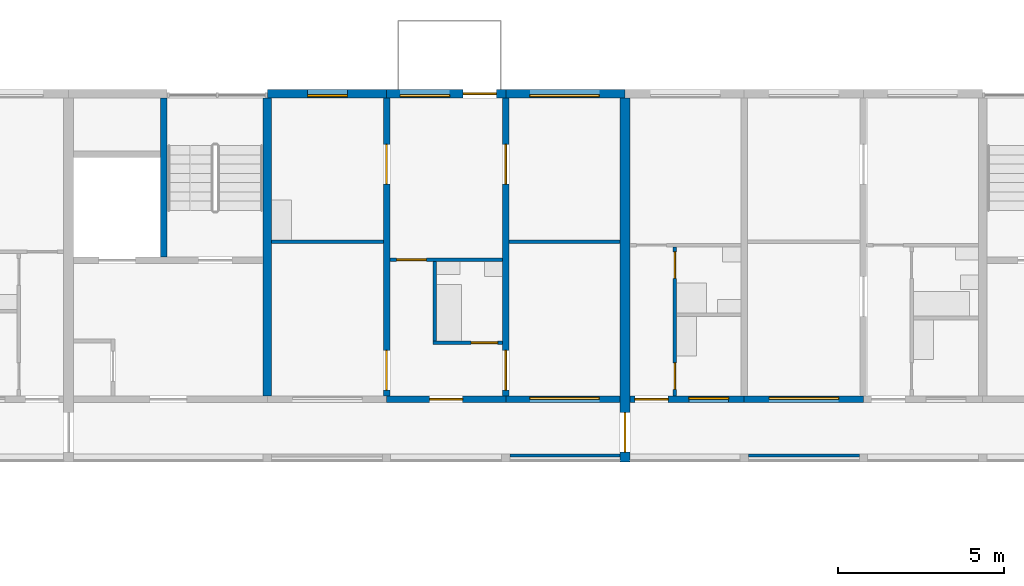
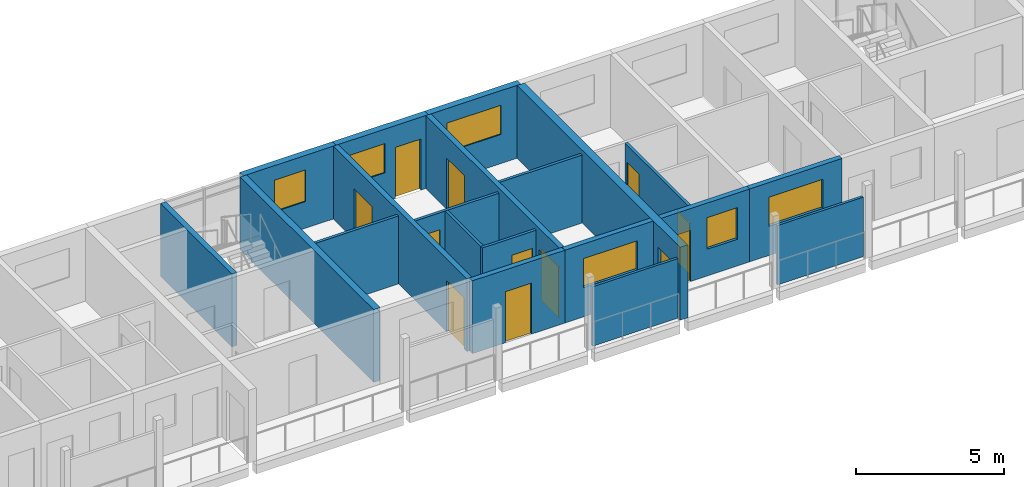
# One storey, part 51 of 115: 20 walls, 12 doors, 6 windows, 18 openings.
"""IFC4 building model written with IfcOpenShell, lengths in metres."""

from ifc_helpers import new_model, si_unit, direction, frame, frame_2d, origin, place, context, subcontext, project, spatial, rectangle, extrude, material, layer, layer_set, type_object, element, fill, save


model = new_model("IFC4")

# Units and contexts
model_context = context("Model", 3, precision=1e-05, world=origin(), true_north=direction((0.0, 1.0)))
body_context = subcontext(model_context, "Body", "Model", "MODEL_VIEW")
ifc_project = project(units=[si_unit("LENGTHUNIT", "METRE"), si_unit("AREAUNIT", "SQUARE_METRE"), si_unit("VOLUMEUNIT", "CUBIC_METRE"), si_unit("PLANEANGLEUNIT", "RADIAN"), si_unit("MASSUNIT", "GRAM", prefix="KILO")], contexts=[model_context])

# Site, building, storey
site_placement = place(None, origin())
site = spatial("IfcSite", under=ifc_project, at=site_placement, CompositionType="ELEMENT")
building_placement = place(site_placement, origin())
building = spatial("IfcBuilding", under=site, at=building_placement, Name="Ridgestep Commons", CompositionType="ELEMENT")
storey_placement = place(building_placement, frame((0.0, 0.0, 6.0)))
storey = spatial("IfcBuildingStorey", under=building, at=storey_placement, Name="L02", CompositionType="ELEMENT", Elevation=6.0)

# Walls
ifc_material_1 = material(Name="Concrete C30/37", Category="concrete")
ifc_layer_1 = layer(ifc_material_1, 0.25)
ifc_layer_set_1 = layer_set([ifc_layer_1], Name="Core cross wall 250")
wall_type_1 = type_object("IfcWallType", Name="Core cross wall 250", PredefinedType="SHEAR", material=ifc_layer_set_1)
wall_1_placement = place(storey_placement, frame((51.60009765625, 68.0, 0.0), z_axis=(0.0, 0.0, 1.0), x_axis=(0.0, 1.0, 0.0)))
element("IfcWall", 1, at=wall_1_placement, inside=storey, type_object=wall_type_1, Name="Cross wall B-02-0516", PredefinedType="SHEAR", context=body_context, shape_type="SweptSolid", body=[
    extrude(rectangle(XDim=9.0, YDim=0.25, at=frame_2d((4.5, 0.0))), origin(), (0.0, 0.0, 1.0), 3.0),
])
ifc_material_2 = material(Name="Concrete C30/37", Category="concrete")
ifc_layer_2 = layer(ifc_material_2, 0.199951171875)
ifc_layer_set_2 = layer_set([ifc_layer_2], Name="Core wall 200")
wall_type_2 = type_object("IfcWallType", Name="Core wall 200", PredefinedType="SHEAR", material=ifc_layer_set_2)
wall_2_placement = place(storey_placement, frame((48.47509765625, 72.199951171875, 0.0), z_axis=(0.0, 0.0, 1.0), x_axis=(0.0, 1.0, 0.0)))
element("IfcWall", 2, at=wall_2_placement, inside=storey, type_object=wall_type_2, Name="Core stair wall B3C L02", PredefinedType="SHEAR", context=body_context, shape_type="SweptSolid", body=[
    extrude(rectangle(XDim=4.800048828125, YDim=0.199951171875, at=frame_2d((2.39990234375, 0.0))), origin(), (0.0, 0.0, 1.0), 3.0),
])

# Wall, openings, doors
ifc_material_3 = material(Name="Precast concrete C40/50", Category="concrete")
ifc_layer_3 = layer(ifc_material_3, 0.199951171875)
ifc_layer_set_3 = layer_set([ifc_layer_3], Name="Cross wall 200")
wall_type_3 = type_object("IfcWallType", Name="Cross wall 200", PredefinedType="SHEAR", material=ifc_layer_set_3)
wall_3_placement = place(storey_placement, frame((55.199951171875, 68.0, 0.0), z_axis=(0.0, 0.0, 1.0), x_axis=(0.0, 1.0, 0.0)))
wall_3 = element("IfcWall", 3, at=wall_3_placement, inside=storey, type_object=wall_type_3, Name="Cross wall B-02-0552", PredefinedType="SHEAR", context=body_context, shape_type="SweptSolid", body=[
    extrude(rectangle(XDim=9.0, YDim=0.199951171875, at=frame_2d((4.5, 0.0))), origin(), (0.0, 0.0, 1.0), 3.0),
])
opening_1_placement = place(wall_3_placement, frame((0.175048828125, 0.0, 0.0)))
opening_1 = element("IfcOpeningElement", 4, at=opening_1_placement, cuts=wall_3, Name="Opening B3-02a/4", PredefinedType="OPENING", context=body_context, shape_type="SweptSolid", body=[
    extrude(rectangle(XDim=1.199951171875, YDim=2.10009765625, at=frame_2d((0.60009765625, 1.050048828125))), frame((0.0, 0.10986328125, 0.0), z_axis=(0.0, -1.0, 0.0), x_axis=(1.0, 0.0, 0.0)), (0.0, 0.0, 1.0), 0.219970703125),
])
opening_2_placement = place(wall_3_placement, frame((6.39990234375, 0.0, 0.0)))
opening_2 = element("IfcOpeningElement", 5, at=opening_2_placement, cuts=wall_3, Name="Opening B3-02a/5", PredefinedType="OPENING", context=body_context, shape_type="SweptSolid", body=[
    extrude(rectangle(XDim=1.199951171875, YDim=2.10009765625, at=frame_2d((0.60009765625, 1.050048828125))), frame((0.0, 0.10986328125, 0.0), z_axis=(0.0, -1.0, 0.0), x_axis=(1.0, 0.0, 0.0)), (0.0, 0.0, 1.0), 0.219970703125),
])
ifc_material_4 = material(Name="Timber door leaf", Category="wood")
door_type_1 = type_object("IfcDoorType", Name="Double door 1200 x 2100", OperationType="DOUBLE_DOOR_SINGLE_SWING", PredefinedType="DOOR", material=ifc_material_4)
door_1_placement = place(opening_1_placement, origin())
door_1 = element("IfcDoor", 6, at=door_1_placement, inside=storey, type_object=door_type_1, Name="Double door B3-02a/4", OperationType="DOUBLE_DOOR_SINGLE_SWING", OverallHeight=2.10009765625, OverallWidth=1.199951171875, PredefinedType="DOOR", context=body_context, shape_type="SweptSolid", body=[
    extrude(rectangle(XDim=1.199951171875, YDim=2.10009765625, at=frame_2d((0.60009765625, 1.050048828125))), frame((0.0, 0.02490234375, 0.0), z_axis=(0.0, -1.0, 0.0), x_axis=(1.0, 0.0, 0.0)), (0.0, 0.0, 1.0), 0.050048828125),
])
fill(opening_1, door_1)
door_2_placement = place(opening_2_placement, origin())
door_2 = element("IfcDoor", 7, at=door_2_placement, inside=storey, type_object=door_type_1, Name="Double door B3-02a/5", OperationType="DOUBLE_DOOR_SINGLE_SWING", OverallHeight=2.10009765625, OverallWidth=1.199951171875, PredefinedType="DOOR", context=body_context, shape_type="SweptSolid", body=[
    extrude(rectangle(XDim=1.199951171875, YDim=2.10009765625, at=frame_2d((0.60009765625, 1.050048828125))), frame((0.0, 0.02490234375, 0.0), z_axis=(0.0, -1.0, 0.0), x_axis=(1.0, 0.0, 0.0)), (0.0, 0.0, 1.0), 0.050048828125),
])
fill(opening_2, door_2)

wall_4_placement = place(storey_placement, frame((58.800048828125, 68.0, 0.0), z_axis=(0.0, 0.0, 1.0), x_axis=(0.0, 1.0, 0.0)))
wall_4 = element("IfcWall", 8, at=wall_4_placement, inside=storey, type_object=wall_type_3, Name="Cross wall B-02-0588", PredefinedType="SHEAR", context=body_context, shape_type="SweptSolid", body=[
    extrude(rectangle(XDim=9.0, YDim=0.199951171875, at=frame_2d((4.5, 0.0))), origin(), (0.0, 0.0, 1.0), 3.0),
])
opening_3_placement = place(wall_4_placement, frame((0.175048828125, 0.0, 0.0)))
opening_3 = element("IfcOpeningElement", 9, at=opening_3_placement, cuts=wall_4, Name="Opening B3-02a/6", PredefinedType="OPENING", context=body_context, shape_type="SweptSolid", body=[
    extrude(rectangle(XDim=1.199951171875, YDim=2.10009765625, at=frame_2d((0.60009765625, 1.050048828125))), frame((0.0, 0.10986328125, 0.0), z_axis=(0.0, -1.0, 0.0), x_axis=(1.0, 0.0, 0.0)), (0.0, 0.0, 1.0), 0.219970703125),
])
opening_4_placement = place(wall_4_placement, frame((6.39990234375, 0.0, 0.0)))
opening_4 = element("IfcOpeningElement", 10, at=opening_4_placement, cuts=wall_4, Name="Opening B3-02a/7", PredefinedType="OPENING", context=body_context, shape_type="SweptSolid", body=[
    extrude(rectangle(XDim=1.199951171875, YDim=2.10009765625, at=frame_2d((0.60009765625, 1.050048828125))), frame((0.0, 0.10986328125, 0.0), z_axis=(0.0, -1.0, 0.0), x_axis=(1.0, 0.0, 0.0)), (0.0, 0.0, 1.0), 0.219970703125),
])
door_3_placement = place(opening_3_placement, origin())
door_3 = element("IfcDoor", 11, at=door_3_placement, inside=storey, type_object=door_type_1, Name="Double door B3-02a/6", OperationType="DOUBLE_DOOR_SINGLE_SWING", OverallHeight=2.10009765625, OverallWidth=1.199951171875, PredefinedType="DOOR", context=body_context, shape_type="SweptSolid", body=[
    extrude(rectangle(XDim=1.199951171875, YDim=2.10009765625, at=frame_2d((0.60009765625, 1.050048828125))), frame((0.0, 0.02490234375, 0.0), z_axis=(0.0, -1.0, 0.0), x_axis=(1.0, 0.0, 0.0)), (0.0, 0.0, 1.0), 0.050048828125),
])
fill(opening_3, door_3)
door_4_placement = place(opening_4_placement, origin())
door_4 = element("IfcDoor", 12, at=door_4_placement, inside=storey, type_object=door_type_1, Name="Double door B3-02a/7", OperationType="DOUBLE_DOOR_SINGLE_SWING", OverallHeight=2.10009765625, OverallWidth=1.199951171875, PredefinedType="DOOR", context=body_context, shape_type="SweptSolid", body=[
    extrude(rectangle(XDim=1.199951171875, YDim=2.10009765625, at=frame_2d((0.60009765625, 1.050048828125))), frame((0.0, 0.02490234375, 0.0), z_axis=(0.0, -1.0, 0.0), x_axis=(1.0, 0.0, 0.0)), (0.0, 0.0, 1.0), 0.050048828125),
])
fill(opening_4, door_4)

# Wall, opening, door
ifc_material_5 = material(Name="Precast concrete C40/50", Category="concrete")
ifc_layer_4 = layer(ifc_material_5, 0.300048828125)
ifc_layer_set_4 = layer_set([ifc_layer_4], Name="Division wall 300")
wall_type_4 = type_object("IfcWallType", Name="Division wall 300", PredefinedType="SHEAR", material=ifc_layer_set_4)
wall_5_placement = place(storey_placement, frame((62.39990234375, 66.0, 0.0), z_axis=(0.0, 0.0, 1.0), x_axis=(0.0, 1.0, 0.0)))
wall_5 = element("IfcWall", 13, at=wall_5_placement, inside=storey, type_object=wall_type_4, Name="Cross wall B-02-0624", PredefinedType="SHEAR", context=body_context, shape_type="SweptSolid", body=[
    extrude(rectangle(XDim=11.0, YDim=0.300048828125, at=frame_2d((5.5, 0.0))), origin(), (0.0, 0.0, 1.0), 3.0),
])
opening_5_placement = place(wall_5_placement, frame((0.300048828125, 0.0, 0.0)))
opening_5 = element("IfcOpeningElement", 14, at=opening_5_placement, cuts=wall_5, Name="Opening B/02/G0624", PredefinedType="OPENING", context=body_context, shape_type="SweptSolid", body=[
    extrude(rectangle(XDim=1.199951171875, YDim=2.10009765625, at=frame_2d((0.60009765625, 1.050048828125))), frame((0.0, 0.159912109375, 0.0), z_axis=(0.0, -1.0, 0.0), x_axis=(1.0, 0.0, 0.0)), (0.0, 0.0, 1.0), 0.320068359375),
])
ifc_material_6 = material(Name="Steel fire door", Category="steel")
door_type_2 = type_object("IfcDoorType", Name="Division fire door 1200 x 2100 EI 240", OperationType="DOUBLE_DOOR_SINGLE_SWING", PredefinedType="DOOR", material=ifc_material_6)
door_5_placement = place(opening_5_placement, origin())
door_5 = element("IfcDoor", 15, at=door_5_placement, inside=storey, type_object=door_type_2, Name="Division fire door B/02/G0624", OperationType="DOUBLE_DOOR_SINGLE_SWING", OverallHeight=2.10009765625, OverallWidth=1.199951171875, PredefinedType="DOOR", context=body_context, shape_type="SweptSolid", body=[
    extrude(rectangle(XDim=1.199951171875, YDim=2.10009765625, at=frame_2d((0.60009765625, 1.050048828125))), frame((0.0, 0.02490234375, 0.0), z_axis=(0.0, -1.0, 0.0), x_axis=(1.0, 0.0, 0.0)), (0.0, 0.0, 1.0), 0.050048828125),
])
fill(opening_5, door_5)

# Wall, opening, window
ifc_material_7 = material(Name="Precast concrete C40/50", Category="concrete")
ifc_layer_5 = layer(ifc_material_7, 0.25)
ifc_layer_set_5 = layer_set([ifc_layer_5], Name="North facade panel 250")
wall_type_5 = type_object("IfcWallType", Name="North facade panel 250", PredefinedType="SOLIDWALL", material=ifc_layer_set_5)
wall_6_placement = place(storey_placement, frame((51.60009765625, 77.125, 0.0), z_axis=(0.0, 0.0, 1.0), x_axis=(1.0, 0.0, 0.0)))
wall_6 = element("IfcWall", 16, at=wall_6_placement, inside=storey, type_object=wall_type_5, Name="North panel B3T3 L02", PredefinedType="SOLIDWALL", context=body_context, shape_type="SweptSolid", body=[
    extrude(rectangle(XDim=3.599853515625, YDim=0.25, at=frame_2d((1.7998046875, 0.0))), origin(), (0.0, 0.0, 1.0), 3.0),
])
opening_6_placement = place(wall_6_placement, frame((1.21240234375, 0.0, 1.10009765625)))
opening_6 = element("IfcOpeningElement", 17, at=opening_6_placement, cuts=wall_6, Name="Opening W08", PredefinedType="OPENING", context=body_context, shape_type="SweptSolid", body=[
    extrude(rectangle(XDim=1.199951171875, YDim=1.300048828125, at=frame_2d((0.60009765625, 0.64990234375))), frame((0.0, 0.135009765625, 0.0), z_axis=(0.0, -1.0, 0.0), x_axis=(1.0, 0.0, 0.0)), (0.0, 0.0, 1.0), 0.27001953125),
])
ifc_material_8 = material(Name="Aluminium 6063-T6 and glass", Category="aluminium")
window_type_1 = type_object("IfcWindowType", Name="Flat window 1200 x 1300", PartitioningType="SINGLE_PANEL", PredefinedType="WINDOW", material=ifc_material_8)
window_1_placement = place(opening_6_placement, origin())
window_1 = element("IfcWindow", 18, at=window_1_placement, inside=storey, type_object=window_type_1, Name="Window B3-02a 2", OverallHeight=1.300048828125, OverallWidth=1.199951171875, PartitioningType="SINGLE_PANEL", PredefinedType="WINDOW", context=body_context, shape_type="SweptSolid", body=[
    extrude(rectangle(XDim=1.199951171875, YDim=1.300048828125, at=frame_2d((0.60009765625, 0.64990234375))), frame((0.0, -0.02490234375, 0.0), z_axis=(0.0, -1.0, 0.0), x_axis=(1.0, 0.0, 0.0)), (0.0, 0.0, 1.0), 0.06005859375),
])
fill(opening_6, window_1)

# Wall, openings, door, window
wall_7_placement = place(storey_placement, frame((55.199951171875, 77.125, 0.0), z_axis=(0.0, 0.0, 1.0), x_axis=(1.0, 0.0, 0.0)))
wall_7 = element("IfcWall", 19, at=wall_7_placement, inside=storey, type_object=wall_type_5, Name="North panel B3T2 L02", PredefinedType="SOLIDWALL", context=body_context, shape_type="SweptSolid", body=[
    extrude(rectangle(XDim=3.60009765625, YDim=0.25, at=frame_2d((1.800048828125, 0.0))), origin(), (0.0, 0.0, 1.0), 3.0),
])
opening_7_placement = place(wall_7_placement, frame((0.406494140625, 0.0, 1.199951171875)))
opening_7 = element("IfcOpeningElement", 20, at=opening_7_placement, cuts=wall_7, Name="Opening W13", PredefinedType="OPENING", context=body_context, shape_type="SweptSolid", body=[
    extrude(rectangle(XDim=1.5, YDim=1.199951171875, at=frame_2d((0.75, 0.60009765625))), frame((0.0, 0.135009765625, 0.0), z_axis=(0.0, -1.0, 0.0), x_axis=(1.0, 0.0, 0.0)), (0.0, 0.0, 1.0), 0.27001953125),
])
opening_8_placement = place(wall_7_placement, frame((2.31298828125, 0.0, 0.0)))
opening_8 = element("IfcOpeningElement", 21, at=opening_8_placement, cuts=wall_7, Name="Opening B3-02a/8", PredefinedType="OPENING", context=body_context, shape_type="SweptSolid", body=[
    extrude(rectangle(XDim=1.0, YDim=2.10009765625, at=frame_2d((0.5, 1.050048828125))), frame((0.0, 0.135009765625, 0.0), z_axis=(0.0, -1.0, 0.0), x_axis=(1.0, 0.0, 0.0)), (0.0, 0.0, 1.0), 0.27001953125),
])
ifc_material_9 = material(Name="Aluminium and glass", Category="aluminium")
door_type_3 = type_object("IfcDoorType", Name="Balcony door 1000 x 2100", OperationType="NOTDEFINED", PredefinedType="DOOR", material=ifc_material_9)
door_6_placement = place(opening_8_placement, origin())
door_6 = element("IfcDoor", 22, at=door_6_placement, inside=storey, type_object=door_type_3, Name="Balcony door B3-02a/8", OperationType="SINGLE_SWING_LEFT", OverallHeight=2.10009765625, OverallWidth=1.0, PredefinedType="DOOR", context=body_context, shape_type="SweptSolid", body=[
    extrude(rectangle(XDim=1.0, YDim=2.10009765625, at=frame_2d((0.5, 1.050048828125))), frame((0.0, 0.02490234375, 0.0), z_axis=(0.0, -1.0, 0.0), x_axis=(1.0, 0.0, 0.0)), (0.0, 0.0, 1.0), 0.050048828125),
])
fill(opening_8, door_6)
ifc_material_10 = material(Name="Aluminium 6063-T6 and glass", Category="aluminium")
window_type_2 = type_object("IfcWindowType", Name="Flat window 1500 x 1200", PartitioningType="DOUBLE_PANEL_VERTICAL", PredefinedType="WINDOW", material=ifc_material_10)
window_2_placement = place(opening_7_placement, origin())
window_2 = element("IfcWindow", 23, at=window_2_placement, inside=storey, type_object=window_type_2, Name="Window B3-02a 5", OverallHeight=1.199951171875, OverallWidth=1.5, PartitioningType="SINGLE_PANEL", PredefinedType="WINDOW", context=body_context, shape_type="SweptSolid", body=[
    extrude(rectangle(XDim=1.5, YDim=1.199951171875, at=frame_2d((0.75, 0.60009765625))), frame((0.0, -0.02490234375, 0.0), z_axis=(0.0, -1.0, 0.0), x_axis=(1.0, 0.0, 0.0)), (0.0, 0.0, 1.0), 0.06005859375),
])
fill(opening_7, window_2)

# Wall, opening, window
wall_8_placement = place(storey_placement, frame((58.800048828125, 77.125, 0.0), z_axis=(0.0, 0.0, 1.0), x_axis=(1.0, 0.0, 0.0)))
wall_8 = element("IfcWall", 24, at=wall_8_placement, inside=storey, type_object=wall_type_5, Name="North panel B3T1 L02", PredefinedType="SOLIDWALL", context=body_context, shape_type="SweptSolid", body=[
    extrude(rectangle(XDim=3.599853515625, YDim=0.25, at=frame_2d((1.7998046875, 0.0))), origin(), (0.0, 0.0, 1.0), 3.0),
])
opening_9_placement = place(wall_8_placement, frame((0.72509765625, 0.0, 1.199951171875)))
opening_9 = element("IfcOpeningElement", 25, at=opening_9_placement, cuts=wall_8, Name="Opening W22", PredefinedType="OPENING", context=body_context, shape_type="SweptSolid", body=[
    extrude(rectangle(XDim=2.10009765625, YDim=1.199951171875, at=frame_2d((1.050048828125, 0.60009765625))), frame((0.0, 0.135009765625, 0.0), z_axis=(0.0, -1.0, 0.0), x_axis=(1.0, 0.0, 0.0)), (0.0, 0.0, 1.0), 0.27001953125),
])
ifc_material_11 = material(Name="Aluminium 6063-T6 and glass", Category="aluminium")
window_type_3 = type_object("IfcWindowType", Name="Flat window 2100 x 1200", PartitioningType="DOUBLE_PANEL_VERTICAL", PredefinedType="WINDOW", material=ifc_material_11)
window_3_placement = place(opening_9_placement, origin())
window_3 = element("IfcWindow", 26, at=window_3_placement, inside=storey, type_object=window_type_3, Name="Window B3-02a 4", OverallHeight=1.199951171875, OverallWidth=2.10009765625, PartitioningType="SINGLE_PANEL", PredefinedType="WINDOW", context=body_context, shape_type="SweptSolid", body=[
    extrude(rectangle(XDim=2.10009765625, YDim=1.199951171875, at=frame_2d((1.050048828125, 0.60009765625))), frame((0.0, -0.02490234375, 0.0), z_axis=(0.0, -1.0, 0.0), x_axis=(1.0, 0.0, 0.0)), (0.0, 0.0, 1.0), 0.06005859375),
])
fill(opening_9, window_3)

# Wall, opening, door
ifc_material_12 = material(Name="Common brick 110 mm", Category="masonry")
ifc_layer_6 = layer(ifc_material_12, 0.110107421875)
ifc_layer_set_6 = layer_set([ifc_layer_6], Name="Partition 110")
wall_type_6 = type_object("IfcWallType", Name="Partition 110", PredefinedType="PARTITIONING", material=ifc_layer_set_6)
wall_9_placement = place(storey_placement, frame((56.60009765625, 69.60498046875, 0.0), z_axis=(0.0, 0.0, 1.0), x_axis=(1.0, 0.0, 0.0)))
wall_9 = element("IfcWall", 27, at=wall_9_placement, inside=storey, type_object=wall_type_6, Name="Partition B3-02a", PredefinedType="PARTITIONING", context=body_context, shape_type="SweptSolid", body=[
    extrude(rectangle(XDim=2.099853515625, YDim=0.110107421875, at=frame_2d((1.0498046875, 0.0))), origin(), (0.0, 0.0, 1.0), 2.800048828125),
])
opening_10_placement = place(wall_9_placement, frame((1.14990234375, 0.0, 0.0)))
opening_10 = element("IfcOpeningElement", 28, at=opening_10_placement, cuts=wall_9, Name="Opening B3-02a/2", PredefinedType="OPENING", context=body_context, shape_type="SweptSolid", body=[
    extrude(rectangle(XDim=0.800048828125, YDim=2.10009765625, at=frame_2d((0.39990234375, 1.050048828125))), frame((0.0, 0.06494140625, 0.0), z_axis=(0.0, -1.0, 0.0), x_axis=(1.0, 0.0, 0.0)), (0.0, 0.0, 1.0), 0.130126953125),
])
ifc_material_13 = material(Name="Timber door leaf", Category="wood")
door_type_4 = type_object("IfcDoorType", Name="Internal door 800 x 2100", OperationType="NOTDEFINED", PredefinedType="DOOR", material=ifc_material_13)
door_7_placement = place(opening_10_placement, origin())
door_7 = element("IfcDoor", 29, at=door_7_placement, inside=storey, type_object=door_type_4, Name="Internal door B3-02a/2", OperationType="SINGLE_SWING_RIGHT", OverallHeight=2.10009765625, OverallWidth=0.800048828125, PredefinedType="DOOR", context=body_context, shape_type="SweptSolid", body=[
    extrude(rectangle(XDim=0.800048828125, YDim=2.10009765625, at=frame_2d((0.39990234375, 1.050048828125))), frame((0.0, 0.02490234375, 0.0), z_axis=(0.0, -1.0, 0.0), x_axis=(1.0, 0.0, 0.0)), (0.0, 0.0, 1.0), 0.050048828125),
])
fill(opening_10, door_7)

# Wall
wall_10_placement = place(storey_placement, frame((56.655029296875, 69.659912109375, 0.0), z_axis=(0.0, 0.0, 1.0), x_axis=(0.0, 1.0, 0.0)))
element("IfcWall", 30, at=wall_10_placement, inside=storey, type_object=wall_type_6, Name="Partition B3-02a", PredefinedType="PARTITIONING", context=body_context, shape_type="SweptSolid", body=[
    extrude(rectangle(XDim=2.400146484375, YDim=0.110107421875, at=frame_2d((1.2001953125, 0.0))), origin(), (0.0, 0.0, 1.0), 2.800048828125),
])

# Wall, opening, door
wall_11_placement = place(storey_placement, frame((55.300048828125, 72.114990234375, 0.0), z_axis=(0.0, 0.0, 1.0), x_axis=(1.0, 0.0, 0.0)))
wall_11 = element("IfcWall", 31, at=wall_11_placement, inside=storey, type_object=wall_type_6, Name="Partition B3-02a", PredefinedType="PARTITIONING", context=body_context, shape_type="SweptSolid", body=[
    extrude(rectangle(XDim=3.39990234375, YDim=0.110107421875, at=frame_2d((1.699951171875, 0.0))), origin(), (0.0, 0.0, 1.0), 2.800048828125),
])
opening_11_placement = place(wall_11_placement, frame((0.199951171875, 0.0, 0.0)))
opening_11 = element("IfcOpeningElement", 32, at=opening_11_placement, cuts=wall_11, Name="Opening B3-02a/3", PredefinedType="OPENING", context=body_context, shape_type="SweptSolid", body=[
    extrude(rectangle(XDim=0.89990234375, YDim=2.10009765625, at=frame_2d((0.449951171875, 1.050048828125))), frame((0.0, 0.06494140625, 0.0), z_axis=(0.0, -1.0, 0.0), x_axis=(1.0, 0.0, 0.0)), (0.0, 0.0, 1.0), 0.130126953125),
])
ifc_material_14 = material(Name="Timber door leaf", Category="wood")
door_type_5 = type_object("IfcDoorType", Name="Internal door 900 x 2100", OperationType="NOTDEFINED", PredefinedType="DOOR", material=ifc_material_14)
door_8_placement = place(opening_11_placement, origin())
door_8 = element("IfcDoor", 33, at=door_8_placement, inside=storey, type_object=door_type_5, Name="Internal door B3-02a/3", OperationType="SINGLE_SWING_LEFT", OverallHeight=2.10009765625, OverallWidth=0.89990234375, PredefinedType="DOOR", context=body_context, shape_type="SweptSolid", body=[
    extrude(rectangle(XDim=0.89990234375, YDim=2.10009765625, at=frame_2d((0.449951171875, 1.050048828125))), frame((0.0, 0.02490234375, 0.0), z_axis=(0.0, -1.0, 0.0), x_axis=(1.0, 0.0, 0.0)), (0.0, 0.0, 1.0), 0.050048828125),
])
fill(opening_11, door_8)

# Walls
wall_12_placement = place(storey_placement, frame((51.72509765625, 72.655029296875, 0.0), z_axis=(0.0, 0.0, 1.0), x_axis=(1.0, 0.0, 0.0)))
element("IfcWall", 34, at=wall_12_placement, inside=storey, type_object=wall_type_6, Name="Partition B3-02a", PredefinedType="PARTITIONING", context=body_context, shape_type="SweptSolid", body=[
    extrude(rectangle(XDim=3.375, YDim=0.110107421875, at=frame_2d((1.6875, 0.0))), origin(), (0.0, 0.0, 1.0), 2.800048828125),
])
wall_13_placement = place(storey_placement, frame((58.89990234375, 72.655029296875, 0.0), z_axis=(0.0, 0.0, 1.0), x_axis=(1.0, 0.0, 0.0)))
element("IfcWall", 35, at=wall_13_placement, inside=storey, type_object=wall_type_6, Name="Partition B3-02a", PredefinedType="PARTITIONING", context=body_context, shape_type="SweptSolid", body=[
    extrude(rectangle(XDim=3.35009765625, YDim=0.110107421875, at=frame_2d((1.675048828125, 0.0))), origin(), (0.0, 0.0, 1.0), 2.800048828125),
])

# Wall, openings, doors
wall_14_placement = place(storey_placement, frame((63.905029296875, 68.0, 0.0), z_axis=(0.0, 0.0, 1.0), x_axis=(0.0, 1.0, 0.0)))
wall_14 = element("IfcWall", 36, at=wall_14_placement, inside=storey, type_object=wall_type_6, Name="Partition B4-02a", PredefinedType="PARTITIONING", context=body_context, shape_type="SweptSolid", body=[
    extrude(rectangle(XDim=4.5, YDim=0.110107421875, at=frame_2d((2.25, 0.0))), origin(), (0.0, 0.0, 1.0), 2.800048828125),
])
opening_12_placement = place(wall_14_placement, frame((0.199951171875, 0.0, 0.0)))
opening_12 = element("IfcOpeningElement", 37, at=opening_12_placement, cuts=wall_14, Name="Opening B4-02a/2", PredefinedType="OPENING", context=body_context, shape_type="SweptSolid", body=[
    extrude(rectangle(XDim=0.800048828125, YDim=2.10009765625, at=frame_2d((0.39990234375, 1.050048828125))), frame((0.0, 0.06494140625, 0.0), z_axis=(0.0, -1.0, 0.0), x_axis=(1.0, 0.0, 0.0)), (0.0, 0.0, 1.0), 0.130126953125),
])
opening_13_placement = place(wall_14_placement, frame((3.550048828125, 0.0, 0.0)))
opening_13 = element("IfcOpeningElement", 38, at=opening_13_placement, cuts=wall_14, Name="Opening B4-02a/3", PredefinedType="OPENING", context=body_context, shape_type="SweptSolid", body=[
    extrude(rectangle(XDim=0.800048828125, YDim=2.10009765625, at=frame_2d((0.39990234375, 1.050048828125))), frame((0.0, 0.06494140625, 0.0), z_axis=(0.0, -1.0, 0.0), x_axis=(1.0, 0.0, 0.0)), (0.0, 0.0, 1.0), 0.130126953125),
])
door_9_placement = place(opening_12_placement, origin())
door_9 = element("IfcDoor", 39, at=door_9_placement, inside=storey, type_object=door_type_4, Name="Internal door B4-02a/2", OperationType="SINGLE_SWING_RIGHT", OverallHeight=2.10009765625, OverallWidth=0.800048828125, PredefinedType="DOOR", context=body_context, shape_type="SweptSolid", body=[
    extrude(rectangle(XDim=0.800048828125, YDim=2.10009765625, at=frame_2d((0.39990234375, 1.050048828125))), frame((0.0, 0.02490234375, 0.0), z_axis=(0.0, -1.0, 0.0), x_axis=(1.0, 0.0, 0.0)), (0.0, 0.0, 1.0), 0.050048828125),
])
fill(opening_12, door_9)
door_10_placement = place(opening_13_placement, origin())
door_10 = element("IfcDoor", 40, at=door_10_placement, inside=storey, type_object=door_type_4, Name="Internal door B4-02a/3", OperationType="SINGLE_SWING_LEFT", OverallHeight=2.10009765625, OverallWidth=0.800048828125, PredefinedType="DOOR", context=body_context, shape_type="SweptSolid", body=[
    extrude(rectangle(XDim=0.800048828125, YDim=2.10009765625, at=frame_2d((0.39990234375, 1.050048828125))), frame((0.0, 0.02490234375, 0.0), z_axis=(0.0, -1.0, 0.0), x_axis=(1.0, 0.0, 0.0)), (0.0, 0.0, 1.0), 0.050048828125),
])
fill(opening_13, door_10)

# Walls
ifc_material_15 = material(Name="Precast concrete C30/37", Category="concrete")
ifc_layer_7 = layer(ifc_material_15, 0.10009765625)
ifc_layer_set_7 = layer_set([ifc_layer_7], Name="Perforated gallery screen 3325 x 2450 x 100")
wall_type_7 = type_object("IfcWallType", Name="Perforated gallery screen 3325 x 2450 x 100", PredefinedType="SOLIDWALL", material=ifc_layer_set_7)
wall_15_placement = place(storey_placement, frame((58.925048828125, 66.199951171875, 0.0), z_axis=(0.0, 0.0, 1.0), x_axis=(1.0, 0.0, 0.0)))
element("IfcWall", 41, at=wall_15_placement, inside=storey, type_object=wall_type_7, Name="Gallery screen B3T1 02", PredefinedType="SOLIDWALL", context=body_context, shape_type="SweptSolid", body=[
    extrude(rectangle(XDim=3.324951171875, YDim=0.10009765625, at=frame_2d((1.66259765625, 0.0))), origin(), (0.0, 0.0, 1.0), 2.449951171875),
])
ifc_material_16 = material(Name="Precast concrete C30/37", Category="concrete")
ifc_layer_8 = layer(ifc_material_16, 0.10009765625)
ifc_layer_set_8 = layer_set([ifc_layer_8], Name="Perforated gallery screen 3350 x 2450 x 100")
wall_type_8 = type_object("IfcWallType", Name="Perforated gallery screen 3350 x 2450 x 100", PredefinedType="SOLIDWALL", material=ifc_layer_set_8)
wall_16_placement = place(storey_placement, frame((66.125, 66.199951171875, 0.0), z_axis=(0.0, 0.0, 1.0), x_axis=(1.0, 0.0, 0.0)))
element("IfcWall", 42, at=wall_16_placement, inside=storey, type_object=wall_type_8, Name="Gallery screen B4T2 02", PredefinedType="SOLIDWALL", context=body_context, shape_type="SweptSolid", body=[
    extrude(rectangle(XDim=3.35009765625, YDim=0.10009765625, at=frame_2d((1.675048828125, 0.0))), origin(), (0.0, 0.0, 1.0), 2.449951171875),
])

# Wall, opening, door
ifc_material_17 = material(Name="Precast concrete C40/50", Category="concrete")
ifc_layer_9 = layer(ifc_material_17, 0.199951171875)
ifc_layer_set_9 = layer_set([ifc_layer_9], Name="South facade panel 200")
wall_type_9 = type_object("IfcWallType", Name="South facade panel 200", PredefinedType="SOLIDWALL", material=ifc_layer_set_9)
wall_17_placement = place(storey_placement, frame((55.199951171875, 67.89990234375, 0.0), z_axis=(0.0, 0.0, 1.0), x_axis=(1.0, 0.0, 0.0)))
wall_17 = element("IfcWall", 43, at=wall_17_placement, inside=storey, type_object=wall_type_9, Name="South panel B3T2 L02", PredefinedType="SOLIDWALL", context=body_context, shape_type="SweptSolid", body=[
    extrude(rectangle(XDim=3.60009765625, YDim=0.199951171875, at=frame_2d((1.800048828125, 0.0))), origin(), (0.0, 0.0, 1.0), 3.0),
])
opening_14_placement = place(wall_17_placement, frame((1.300048828125, 0.0, 0.0)))
opening_14 = element("IfcOpeningElement", 44, at=opening_14_placement, cuts=wall_17, Name="Opening B3-02a/1", PredefinedType="OPENING", context=body_context, shape_type="SweptSolid", body=[
    extrude(rectangle(XDim=1.0, YDim=2.10009765625, at=frame_2d((0.5, 1.050048828125))), frame((0.0, 0.10986328125, 0.0), z_axis=(0.0, -1.0, 0.0), x_axis=(1.0, 0.0, 0.0)), (0.0, 0.0, 1.0), 0.219970703125),
])
ifc_material_18 = material(Name="Timber door leaf", Category="wood")
door_type_6 = type_object("IfcDoorType", Name="Flat entrance door 1000 x 2100 FD30S", OperationType="NOTDEFINED", PredefinedType="DOOR", material=ifc_material_18)
door_11_placement = place(opening_14_placement, origin())
door_11 = element("IfcDoor", 45, at=door_11_placement, inside=storey, type_object=door_type_6, Name="Flat entrance door B3-02a/1", OperationType="SINGLE_SWING_LEFT", OverallHeight=2.10009765625, OverallWidth=1.0, PredefinedType="DOOR", context=body_context, shape_type="SweptSolid", body=[
    extrude(rectangle(XDim=1.0, YDim=2.10009765625, at=frame_2d((0.5, 1.050048828125))), frame((0.0, 0.02490234375, 0.0), z_axis=(0.0, -1.0, 0.0), x_axis=(1.0, 0.0, 0.0)), (0.0, 0.0, 1.0), 0.050048828125),
])
fill(opening_14, door_11)

# Wall, opening, window
wall_18_placement = place(storey_placement, frame((58.800048828125, 67.89990234375, 0.0), z_axis=(0.0, 0.0, 1.0), x_axis=(1.0, 0.0, 0.0)))
wall_18 = element("IfcWall", 46, at=wall_18_placement, inside=storey, type_object=wall_type_9, Name="South panel B3T1 L02", PredefinedType="SOLIDWALL", context=body_context, shape_type="SweptSolid", body=[
    extrude(rectangle(XDim=3.449951171875, YDim=0.199951171875, at=frame_2d((1.72509765625, 0.0))), origin(), (0.0, 0.0, 1.0), 3.0),
])
opening_15_placement = place(wall_18_placement, frame((0.72509765625, 0.0, 1.199951171875)))
opening_15 = element("IfcOpeningElement", 47, at=opening_15_placement, cuts=wall_18, Name="Opening W22", PredefinedType="OPENING", context=body_context, shape_type="SweptSolid", body=[
    extrude(rectangle(XDim=2.10009765625, YDim=1.199951171875, at=frame_2d((1.050048828125, 0.60009765625))), frame((0.0, 0.10986328125, 0.0), z_axis=(0.0, -1.0, 0.0), x_axis=(1.0, 0.0, 0.0)), (0.0, 0.0, 1.0), 0.219970703125),
])
window_4_placement = place(opening_15_placement, origin())
window_4 = element("IfcWindow", 48, at=window_4_placement, inside=storey, type_object=window_type_3, Name="Window B3-02a 3", OverallHeight=1.199951171875, OverallWidth=2.10009765625, PartitioningType="SINGLE_PANEL", PredefinedType="WINDOW", context=body_context, shape_type="SweptSolid", body=[
    extrude(rectangle(XDim=2.10009765625, YDim=1.199951171875, at=frame_2d((1.050048828125, 0.60009765625))), frame((0.0, 0.06005859375, 0.0), z_axis=(0.0, -1.0, 0.0), x_axis=(1.0, 0.0, 0.0)), (0.0, 0.0, 1.0), 0.06005859375),
])
fill(opening_15, window_4)

# Wall, openings, door, window
wall_19_placement = place(storey_placement, frame((62.550048828125, 67.89990234375, 0.0), z_axis=(0.0, 0.0, 1.0), x_axis=(1.0, 0.0, 0.0)))
wall_19 = element("IfcWall", 49, at=wall_19_placement, inside=storey, type_object=wall_type_9, Name="South panel B4T1 L02", PredefinedType="SOLIDWALL", context=body_context, shape_type="SweptSolid", body=[
    extrude(rectangle(XDim=3.449951171875, YDim=0.199951171875, at=frame_2d((1.72509765625, 0.0))), origin(), (0.0, 0.0, 1.0), 3.0),
])
opening_16_placement = place(wall_19_placement, frame((1.780029296875, 0.0, 1.10009765625)))
opening_16 = element("IfcOpeningElement", 50, at=opening_16_placement, cuts=wall_19, Name="Opening W08", PredefinedType="OPENING", context=body_context, shape_type="SweptSolid", body=[
    extrude(rectangle(XDim=1.199951171875, YDim=1.300048828125, at=frame_2d((0.60009765625, 0.64990234375))), frame((0.0, 0.10986328125, 0.0), z_axis=(0.0, -1.0, 0.0), x_axis=(1.0, 0.0, 0.0)), (0.0, 0.0, 1.0), 0.219970703125),
])
opening_17_placement = place(wall_19_placement, frame((0.14990234375, 0.0, 0.0)))
opening_17 = element("IfcOpeningElement", 51, at=opening_17_placement, cuts=wall_19, Name="Opening B4-02a/1", PredefinedType="OPENING", context=body_context, shape_type="SweptSolid", body=[
    extrude(rectangle(XDim=1.0, YDim=2.10009765625, at=frame_2d((0.5, 1.050048828125))), frame((0.0, 0.10986328125, 0.0), z_axis=(0.0, -1.0, 0.0), x_axis=(1.0, 0.0, 0.0)), (0.0, 0.0, 1.0), 0.219970703125),
])
door_12_placement = place(opening_17_placement, origin())
door_12 = element("IfcDoor", 52, at=door_12_placement, inside=storey, type_object=door_type_6, Name="Flat entrance door B4-02a/1", OperationType="SINGLE_SWING_LEFT", OverallHeight=2.10009765625, OverallWidth=1.0, PredefinedType="DOOR", context=body_context, shape_type="SweptSolid", body=[
    extrude(rectangle(XDim=1.0, YDim=2.10009765625, at=frame_2d((0.5, 1.050048828125))), frame((0.0, 0.02490234375, 0.0), z_axis=(0.0, -1.0, 0.0), x_axis=(1.0, 0.0, 0.0)), (0.0, 0.0, 1.0), 0.050048828125),
])
fill(opening_17, door_12)
window_5_placement = place(opening_16_placement, origin())
window_5 = element("IfcWindow", 53, at=window_5_placement, inside=storey, type_object=window_type_1, Name="Window B4-02a 1", OverallHeight=1.300048828125, OverallWidth=1.199951171875, PartitioningType="SINGLE_PANEL", PredefinedType="WINDOW", context=body_context, shape_type="SweptSolid", body=[
    extrude(rectangle(XDim=1.199951171875, YDim=1.300048828125, at=frame_2d((0.60009765625, 0.64990234375))), frame((0.0, 0.06005859375, 0.0), z_axis=(0.0, -1.0, 0.0), x_axis=(1.0, 0.0, 0.0)), (0.0, 0.0, 1.0), 0.06005859375),
])
fill(opening_16, window_5)

# Wall, opening, window
wall_20_placement = place(storey_placement, frame((66.0, 67.89990234375, 0.0), z_axis=(0.0, 0.0, 1.0), x_axis=(1.0, 0.0, 0.0)))
wall_20 = element("IfcWall", 54, at=wall_20_placement, inside=storey, type_object=wall_type_9, Name="South panel B4T2 L02", PredefinedType="SOLIDWALL", context=body_context, shape_type="SweptSolid", body=[
    extrude(rectangle(XDim=3.60009765625, YDim=0.199951171875, at=frame_2d((1.800048828125, 0.0))), origin(), (0.0, 0.0, 1.0), 3.0),
])
opening_18_placement = place(wall_20_placement, frame((0.75, 0.0, 1.199951171875)))
opening_18 = element("IfcOpeningElement", 55, at=opening_18_placement, cuts=wall_20, Name="Opening W22", PredefinedType="OPENING", context=body_context, shape_type="SweptSolid", body=[
    extrude(rectangle(XDim=2.10009765625, YDim=1.199951171875, at=frame_2d((1.050048828125, 0.60009765625))), frame((0.0, 0.10986328125, 0.0), z_axis=(0.0, -1.0, 0.0), x_axis=(1.0, 0.0, 0.0)), (0.0, 0.0, 1.0), 0.219970703125),
])
window_6_placement = place(opening_18_placement, origin())
window_6 = element("IfcWindow", 56, at=window_6_placement, inside=storey, type_object=window_type_3, Name="Window B4-02b 1", OverallHeight=1.199951171875, OverallWidth=2.10009765625, PartitioningType="SINGLE_PANEL", PredefinedType="WINDOW", context=body_context, shape_type="SweptSolid", body=[
    extrude(rectangle(XDim=2.10009765625, YDim=1.199951171875, at=frame_2d((1.050048828125, 0.60009765625))), frame((0.0, 0.06005859375, 0.0), z_axis=(0.0, -1.0, 0.0), x_axis=(1.0, 0.0, 0.0)), (0.0, 0.0, 1.0), 0.06005859375),
])
fill(opening_18, window_6)

save(model, "model.ifc")
